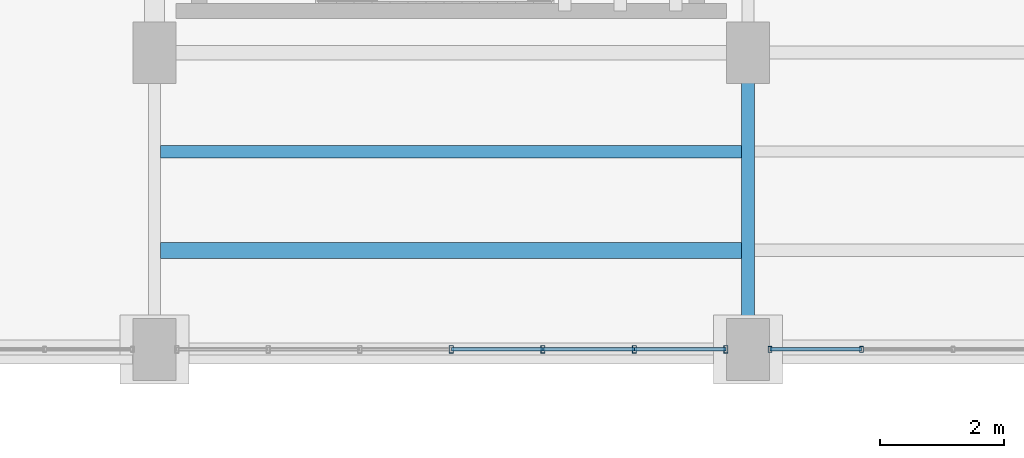
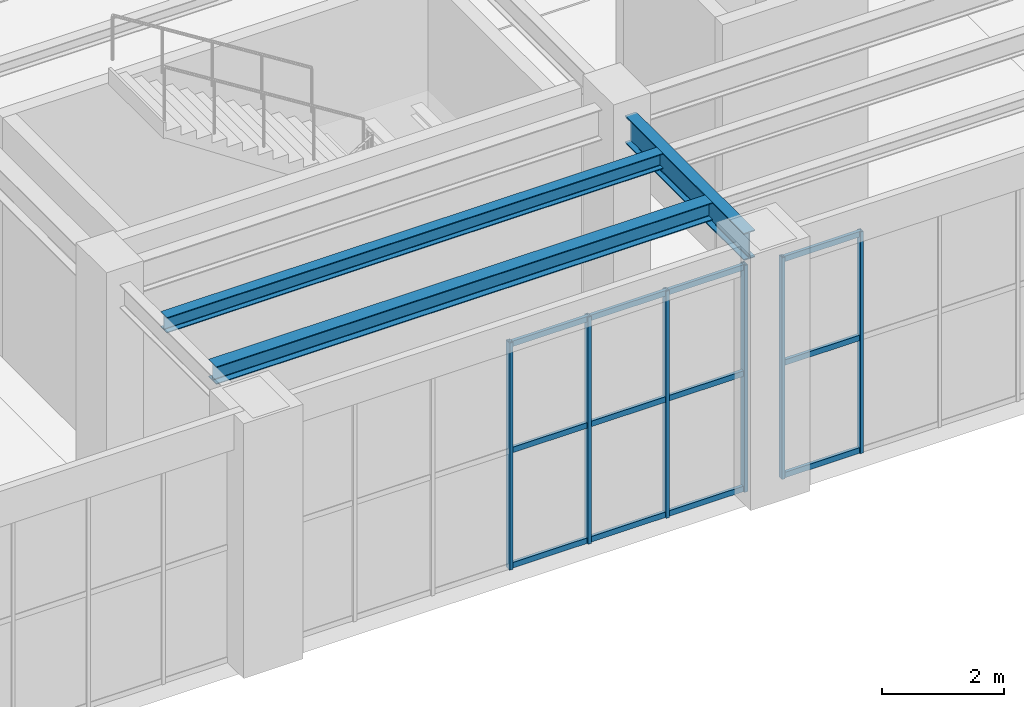
# One storey, part 57 of 174: 18 members, 3 beams, 2 elements without a shape of their own.
"""IFC4 building model written with IfcOpenShell, lengths in metres."""

import ifcopenshell
import ifcopenshell.guid

model = None  # the IFC model being written
_history = None  # IfcOwnerHistory: only IFC2X3 demands one
_inside = {}  # id of a spatial element -> (the spatial element, [elements in it])
_under = {}  # id of a project, library or spatial element -> (it, [spatial elements below it])
_declared = {}  # id of a project -> (the project, [libraries it declares])
_typed = {}  # id of a type object -> (the type object, [elements of that type])
_made_of = {}  # id of a material, layer set ... -> (it, [elements and type objects made of it])


def new_model(schema):
    """Start an empty IFC model of exactly this schema.

    Asked for "IFC4X3", IfcOpenShell would pick the latest addendum, in which some entities
    have other attributes; the version numbers below select the first issue.
    IFC2X3 requires an IfcOwnerHistory on every rooted entity: one is made here for all.
    """
    global model, _history
    if schema == "IFC4X3":
        model = ifcopenshell.file(schema_version=(4, 3, 0, 0))
    else:
        model = ifcopenshell.file(schema=schema)
    _inside.clear()
    _under.clear()
    _declared.clear()
    _typed.clear()
    _made_of.clear()
    _history = None
    if model.schema == "IFC2X3":
        org = make("IfcOrganization", Name="unknown")
        user = make(
            "IfcPersonAndOrganization",
            ThePerson=make("IfcPerson", FamilyName="unknown"),
            TheOrganization=org,
        )
        app = make(
            "IfcApplication",
            ApplicationDeveloper=org,
            Version="unknown",
            ApplicationFullName="unknown",
            ApplicationIdentifier="unknown",
        )
        _history = make(
            "IfcOwnerHistory",
            OwningUser=user,
            OwningApplication=app,
            ChangeAction="ADDED",
            CreationDate=0,
        )
    return model


def make(cls, **values):
    """One entity of the class cls with the attributes given. An attribute that is None is left unset."""
    return model.create_entity(
        cls, **{name: value for name, value in values.items() if value is not None}
    )


def rooted(cls, **values):
    """An entity with a GlobalId (a new one), such as an element, a storey or a relation."""
    return make(cls, GlobalId=ifcopenshell.guid.new(), OwnerHistory=_history, **values)


def si_unit(unit_type, name, prefix=None):
    """IfcSIUnit, for example si_unit("LENGTHUNIT", "METRE", prefix="MILLI")."""
    return make("IfcSIUnit", UnitType=unit_type, Prefix=prefix, Name=name)


def assignment(units):
    """IfcUnitAssignment: the units of a project."""
    return None if units is None else make("IfcUnitAssignment", Units=units)


def point(xyz):
    """IfcCartesianPoint."""
    return None if xyz is None else make("IfcCartesianPoint", Coordinates=xyz)


def direction(xyz):
    """IfcDirection."""
    return None if xyz is None else make("IfcDirection", DirectionRatios=xyz)


def frame(location, z_axis=None, x_axis=None):
    """IfcAxis2Placement3D, a coordinate frame: its origin and axes. An axis left out is left unset."""
    return make(
        "IfcAxis2Placement3D",
        Location=point(location),
        Axis=direction(z_axis),
        RefDirection=direction(x_axis),
    )


def frame_2d(location, x_axis=None):
    """IfcAxis2Placement2D, a coordinate frame in the plane: its origin and x axis."""
    return make(
        "IfcAxis2Placement2D", Location=point(location), RefDirection=direction(x_axis)
    )


def origin():
    """The frame at (0, 0, 0) with its axes left unset."""
    return frame((0.0, 0.0, 0.0))


def origin_2d():
    """The frame at (0, 0) in the plane with its x axis left unset."""
    return frame_2d((0.0, 0.0))


def place(relative_to, where):
    """IfcLocalPlacement: puts the frame where relative to a parent placement (None: the world)."""
    return make(
        "IfcLocalPlacement", PlacementRelTo=relative_to, RelativePlacement=where
    )


def context(
    kind, dimensions, precision=None, world=None, true_north=None, identifier=None
):
    """IfcGeometricRepresentationContext, for example the 3D "Model" context."""
    return make(
        "IfcGeometricRepresentationContext",
        ContextIdentifier=identifier,
        ContextType=kind,
        CoordinateSpaceDimension=dimensions,
        Precision=precision,
        WorldCoordinateSystem=world,
        TrueNorth=true_north,
    )


def subcontext(parent, identifier, kind, view, scale=None):
    """IfcGeometricRepresentationSubContext, for example "Body" below "Model"."""
    return make(
        "IfcGeometricRepresentationSubContext",
        ContextIdentifier=identifier,
        ContextType=kind,
        ParentContext=parent,
        TargetScale=scale,
        TargetView=view,
    )


def project(units=None, contexts=None):
    """IfcProject with its units and contexts."""
    return rooted(
        "IfcProject",
        Name="project",
        RepresentationContexts=contexts,
        UnitsInContext=assignment(units),
    )


def spatial(cls, under=None, at=None, **own):
    """A site, building, storey or space (cls), placed at a placement, below another one or the project."""
    s = rooted(cls, ObjectPlacement=at, **own)
    if under is not None:
        _under.setdefault(under.id(), (under, []))[1].append(s)
    return s


def profile(cls, at=None, kind="AREA", **sizes):
    """A parametric profile (cls). Its sizes go by their IFC names, for example OverallWidth=200.0."""
    return make(cls, ProfileType=kind, Position=at, **sizes)


def hollow_rectangle(**sizes):
    """IfcRectangleHollowProfileDef."""
    return profile("IfcRectangleHollowProfileDef", **sizes)


def i_section(**sizes):
    """IfcIShapeProfileDef."""
    return profile("IfcIShapeProfileDef", **sizes)


def extrude(swept, where, along, depth):
    """IfcExtrudedAreaSolid: the profile swept, set in the frame where, extruded along a direction by depth."""
    return make(
        "IfcExtrudedAreaSolid",
        SweptArea=swept,
        Position=where,
        ExtrudedDirection=direction(along),
        Depth=depth,
    )


def shape(context_of_items, identifier, shape_type, items):
    """IfcShapeRepresentation: the items that make up one representation, for example the "Body"."""
    return make(
        "IfcShapeRepresentation",
        ContextOfItems=context_of_items,
        RepresentationIdentifier=identifier,
        RepresentationType=shape_type,
        Items=items,
    )


def material(Name=None, Category=None):
    """IfcMaterial."""
    return make("IfcMaterial", Name=Name, Category=Category)


def material_profile(
    of_material, cross_section, Name=None, Category=None, Priority=None
):
    """IfcMaterialProfile: a cross section and its material."""
    return make(
        "IfcMaterialProfile",
        Name=Name,
        Material=of_material,
        Profile=cross_section,
        Priority=Priority,
        Category=Category,
    )


def profile_set(profiles, Name=None, composite=None):
    """IfcMaterialProfileSet."""
    return make(
        "IfcMaterialProfileSet",
        Name=Name,
        MaterialProfiles=profiles,
        CompositeProfile=composite,
    )


def made_of(thing, what):
    """Note that an element or type object is made of a material, layer set ...; save() writes the relation."""
    if what is not None:
        _made_of.setdefault(what.id(), (what, []))[1].append(thing)
    return thing


def type_object(cls, material=None, **own):
    """A type object (cls), such as IfcWallType, which elements share."""
    return made_of(rooted(cls, **own), material)


def element(
    cls,
    number,
    at=None,
    inside=None,
    cuts=None,
    type_object=None,
    material=None,
    context=None,
    identifier="Body",
    shape_type=None,
    held_by="IfcProductDefinitionShape",
    body=None,
    shapes=None,
    **own,
):
    """One element of the class cls, such as IfcWall. Its Tag is "e" and its number.

    at: its placement. inside: the storey or other place that contains it. cuts: it is an
    opening in that element (IfcRelVoidsElement). A single representation is given by context,
    identifier, shape_type and body (its items); several are given by shapes. held_by: the class
    of the entity that holds the representations. save() writes the other relations.
    """
    e = rooted(cls, Tag="e%d" % number, ObjectPlacement=at, **own)
    if body is not None:
        shapes = [shape(context, identifier, shape_type, body)]
    if shapes is not None:
        e.Representation = make(held_by, Representations=shapes)
    if inside is not None:
        _inside.setdefault(inside.id(), (inside, []))[1].append(e)
    if cuts is not None:
        rooted(
            "IfcRelVoidsElement", RelatingBuildingElement=cuts, RelatedOpeningElement=e
        )
    if type_object is not None:
        _typed.setdefault(type_object.id(), (type_object, []))[1].append(e)
    return made_of(e, material)


def aggregate(whole, parts):
    """IfcRelAggregates: a whole, such as a stair, and the parts it consists of."""
    return rooted("IfcRelAggregates", RelatingObject=whole, RelatedObjects=parts)


def save(model, path):
    """Write the relations noted so far, then the file.

    IfcRelAggregates (storeys below a building ...), IfcRelContainedInSpatialStructure (elements
    in a storey), IfcRelDefinesByType, IfcRelAssociatesMaterial and IfcRelDeclares: one each for
    every whole, place, type object, material and project.
    """
    for whole, parts in _under.values():
        aggregate(whole, parts)
    for where, things in _inside.values():
        rooted(
            "IfcRelContainedInSpatialStructure",
            RelatedElements=things,
            RelatingStructure=where,
        )
    for kind, things in _typed.values():
        rooted("IfcRelDefinesByType", RelatedObjects=things, RelatingType=kind)
    for what, things in _made_of.values():
        rooted("IfcRelAssociatesMaterial", RelatedObjects=things, RelatingMaterial=what)
    for by, libraries in _declared.values():
        rooted("IfcRelDeclares", RelatingContext=by, RelatedDefinitions=libraries)
    model.write(path)


model = new_model("IFC4")

# Units and contexts
model_context = context("Model", 3, precision=1e-05, world=origin(), true_north=direction((0.0, 1.0)))
body_context = subcontext(model_context, "Body", "Model", "MODEL_VIEW")
ifc_project = project(units=[si_unit("LENGTHUNIT", "METRE"), si_unit("AREAUNIT", "SQUARE_METRE"), si_unit("VOLUMEUNIT", "CUBIC_METRE"), si_unit("PLANEANGLEUNIT", "RADIAN"), si_unit("MASSUNIT", "GRAM", prefix="KILO")], contexts=[model_context])

# Site, building, storey
site_placement = place(None, origin())
site = spatial("IfcSite", under=ifc_project, at=site_placement, CompositionType="ELEMENT")
building_placement = place(site_placement, origin())
building = spatial("IfcBuilding", under=site, at=building_placement, Name="Mavantir Sound Aquarium", CompositionType="ELEMENT")
storey_placement = place(building_placement, frame((0.0, 0.0, 5.39990234375)))
storey = spatial("IfcBuildingStorey", under=building, at=storey_placement, Name="L01", CompositionType="ELEMENT", Elevation=5.39990234375)

# Beams
ifc_material_1 = material(Name="Structural Steel ASTM A992 Gr50", Category="steel")
ifc_material_profile_1 = material_profile(ifc_material_1, i_section(OverallWidth=0.205078125, OverallDepth=0.31005859375, WebThickness=0.009521484375, FlangeThickness=0.016357421875, FilletRadius=0.012939453125, at=origin_2d()), Name="W310X74")
ifc_profile_set_1 = profile_set([ifc_material_profile_1], Name="Structural Steel ASTM A992 Gr50")
beam_type_1 = type_object("IfcBeamType", Name="BM-W310X74-I", PredefinedType="JOIST", material=ifc_profile_set_1)
beam_1_placement = place(storey_placement, frame((108.096923828125, 39.199951171875, 4.62109375), z_axis=(1.0, 0.0, 0.0), x_axis=(0.0, 1.0, 0.0)))
element("IfcBeam", 1, at=beam_1_placement, inside=storey, type_object=beam_type_1, Name="L01 secondary floor joist SJ-31 723", PredefinedType="JOIST", context=body_context, shape_type="SweptSolid", body=[
    extrude(i_section(OverallWidth=0.205078125, OverallDepth=0.31005859375, WebThickness=0.009521484375, FlangeThickness=0.016357421875, FilletRadius=0.012939453125, at=origin_2d()), origin(), (0.0, 0.0, 1.0), 9.39697265625),
])
ifc_material_profile_2 = material_profile(ifc_material_1, i_section(OverallWidth=0.25390625, OverallDepth=0.35302734375, WebThickness=0.009521484375, FlangeThickness=0.016357421875, FilletRadius=0.014892578125, at=origin_2d()), Name="W360X91")
ifc_profile_set_2 = profile_set([ifc_material_profile_2], Name="Structural Steel ASTM A992 Gr50")
beam_type_2 = type_object("IfcBeamType", Name="BM-W360X91-I", PredefinedType="JOIST", material=ifc_profile_set_2)
beam_2_placement = place(storey_placement, frame((108.096923828125, 37.60009765625, 4.599609375), z_axis=(1.0, 0.0, 0.0), x_axis=(0.0, 1.0, 0.0)))
element("IfcBeam", 2, at=beam_2_placement, inside=storey, type_object=beam_type_2, Name="L01 secondary floor joist SJ-36 722", PredefinedType="JOIST", context=body_context, shape_type="SweptSolid", body=[
    extrude(i_section(OverallWidth=0.25390625, OverallDepth=0.35302734375, WebThickness=0.009521484375, FlangeThickness=0.016357421875, FilletRadius=0.014892578125, at=origin_2d()), origin(), (0.0, 0.0, 1.0), 9.39697265625),
])
ifc_material_profile_3 = material_profile(ifc_material_1, i_section(OverallWidth=0.2119140625, OverallDepth=0.5439453125, WebThickness=0.01318359375, FlangeThickness=0.021240234375, FilletRadius=0.01806640625, at=origin_2d()), Name="W530X123")
ifc_profile_set_3 = profile_set([ifc_material_profile_3], Name="Structural Steel ASTM A992 Gr50")
beam_type_3 = type_object("IfcBeamType", Name="BM-W530X123-I", PredefinedType="BEAM", material=ifc_profile_set_3)
beam_3_placement = place(storey_placement, frame((117.60009765625, 36.449951171875, 4.504150390625), z_axis=(0.0, 1.0, 0.0), x_axis=(-1.0, 0.0, 0.0)))
element("IfcBeam", 3, at=beam_3_placement, inside=storey, type_object=beam_type_3, Name="L01 primary girder SB-53 1301", PredefinedType="BEAM", context=body_context, shape_type="SweptSolid", body=[
    extrude(i_section(OverallWidth=0.2119140625, OverallDepth=0.5439453125, WebThickness=0.01318359375, FlangeThickness=0.021240234375, FilletRadius=0.01806640625, at=origin_2d()), origin(), (0.0, 0.0, 1.0), 3.900146484375),
])

# Curtain wall, members
ifc_material_2 = material(Name="Anodised Marine Aluminium and Low-E Glass", Category="aluminium")
curtain_wall_type_1 = type_object("IfcCurtainWallType", Name="CW-T03", PredefinedType="USERDEFINED", material=ifc_material_2)
curtain_wall_1_placement = place(storey_placement, origin())
curtain_wall_1 = element("IfcCurtainWall", 4, at=curtain_wall_1_placement, inside=storey, type_object=curtain_wall_type_1, Name="L01 unitised curtain wall CW-03 99", ObjectType="UNITISED GLAZING", PredefinedType="USERDEFINED")
ifc_material_3 = material(Name="Anodised Marine Aluminium 6063-T6", Category="aluminium")
ifc_material_profile_4 = material_profile(ifc_material_3, hollow_rectangle(XDim=0.06005859375, YDim=0.10009765625, WallThickness=0.00390625, at=origin_2d()), Name="ALU-MULLION-100X60")
ifc_profile_set_4 = profile_set([ifc_material_profile_4], Name="Anodised Marine Aluminium 6063-T6")
member_type_1 = type_object("IfcMemberType", Name="CW-MUL-100", PredefinedType="MULLION", material=ifc_profile_set_4)
member_1_placement = place(storey_placement, frame((117.9580078125, 36.0, 0.0), z_axis=(0.0, 0.0, 1.0), x_axis=(1.0, 0.0, 0.0)))
member_1 = element("IfcMember", 5, at=member_1_placement, type_object=member_type_1, Name="CW-L01-099 vertical mullion 1", PredefinedType="MULLION", context=body_context, shape_type="SweptSolid", body=[
    extrude(hollow_rectangle(XDim=0.06005859375, YDim=0.10009765625, WallThickness=0.00390625, at=origin_2d()), origin(), (0.0, 0.0, 1.0), 4.43798828125),
])
member_2_placement = place(storey_placement, frame((119.438720703125, 36.0, 0.0), z_axis=(0.0, 0.0, 1.0), x_axis=(1.0, 0.0, 0.0)))
member_2 = element("IfcMember", 6, at=member_2_placement, type_object=member_type_1, Name="CW-L01-099 vertical mullion 2", PredefinedType="MULLION", context=body_context, shape_type="SweptSolid", body=[
    extrude(hollow_rectangle(XDim=0.06005859375, YDim=0.10009765625, WallThickness=0.00390625, at=origin_2d()), origin(), (0.0, 0.0, 1.0), 4.43798828125),
])

curtain_wall_type_2 = type_object("IfcCurtainWallType", Name="CW-T02", PredefinedType="USERDEFINED", material=ifc_material_2)
curtain_wall_2_placement = place(storey_placement, origin())
curtain_wall_2 = element("IfcCurtainWall", 7, at=curtain_wall_2_placement, inside=storey, type_object=curtain_wall_type_2, Name="L01 unitised curtain wall CW-02 98", ObjectType="UNITISED GLAZING", PredefinedType="USERDEFINED")
ifc_material_profile_5 = material_profile(ifc_material_3, hollow_rectangle(XDim=0.06494140625, YDim=0.1201171875, WallThickness=0.00390625, at=origin_2d()), Name="ALU-MULLION-120X65")
ifc_profile_set_5 = profile_set([ifc_material_profile_5], Name="Anodised Marine Aluminium 6063-T6")
member_type_2 = type_object("IfcMemberType", Name="CW-MUL-120", PredefinedType="MULLION", material=ifc_profile_set_5)
member_3_placement = place(storey_placement, frame((112.800048828125, 36.0, 0.0), z_axis=(0.0, 0.0, 1.0), x_axis=(1.0, 0.0, 0.0)))
member_3 = element("IfcMember", 8, at=member_3_placement, type_object=member_type_2, Name="CW-L01-098 vertical mullion 4", PredefinedType="MULLION", context=body_context, shape_type="SweptSolid", body=[
    extrude(hollow_rectangle(XDim=0.06494140625, YDim=0.1201171875, WallThickness=0.00390625, at=origin_2d()), origin(), (0.0, 0.0, 1.0), 4.543212890625),
])
member_4_placement = place(storey_placement, frame((114.28076171875, 36.0, 0.0), z_axis=(0.0, 0.0, 1.0), x_axis=(1.0, 0.0, 0.0)))
member_4 = element("IfcMember", 9, at=member_4_placement, type_object=member_type_2, Name="CW-L01-098 vertical mullion 5", PredefinedType="MULLION", context=body_context, shape_type="SweptSolid", body=[
    extrude(hollow_rectangle(XDim=0.06494140625, YDim=0.1201171875, WallThickness=0.00390625, at=origin_2d()), origin(), (0.0, 0.0, 1.0), 4.543212890625),
])
member_5_placement = place(storey_placement, frame((115.76123046875, 36.0, 0.0), z_axis=(0.0, 0.0, 1.0), x_axis=(1.0, 0.0, 0.0)))
member_5 = element("IfcMember", 10, at=member_5_placement, type_object=member_type_2, Name="CW-L01-098 vertical mullion 6", PredefinedType="MULLION", context=body_context, shape_type="SweptSolid", body=[
    extrude(hollow_rectangle(XDim=0.06494140625, YDim=0.1201171875, WallThickness=0.00390625, at=origin_2d()), origin(), (0.0, 0.0, 1.0), 4.543212890625),
])
member_6_placement = place(storey_placement, frame((117.241943359375, 36.0, 0.0), z_axis=(0.0, 0.0, 1.0), x_axis=(1.0, 0.0, 0.0)))
member_6 = element("IfcMember", 11, at=member_6_placement, type_object=member_type_2, Name="CW-L01-098 vertical mullion 7", PredefinedType="MULLION", context=body_context, shape_type="SweptSolid", body=[
    extrude(hollow_rectangle(XDim=0.06494140625, YDim=0.1201171875, WallThickness=0.00390625, at=origin_2d()), origin(), (0.0, 0.0, 1.0), 4.543212890625),
])
ifc_material_profile_6 = material_profile(ifc_material_3, hollow_rectangle(XDim=0.06005859375, YDim=0.110107421875, WallThickness=0.00390625, at=origin_2d()), Name="ALU-TRANSOM-110X60")
ifc_profile_set_6 = profile_set([ifc_material_profile_6], Name="Anodised Marine Aluminium 6063-T6")
member_type_3 = type_object("IfcMemberType", Name="CW-TRN-110", PredefinedType="USERDEFINED", material=ifc_profile_set_6)
member_7_placement = place(storey_placement, frame((112.800048828125, 36.0, 0.05517578125), z_axis=(1.0, 0.0, 0.0), x_axis=(0.0, 1.0, 0.0)))
member_7 = element("IfcMember", 12, at=member_7_placement, type_object=member_type_3, Name="CW-L01-098 transom 4.1", ObjectType="TRANSOM", PredefinedType="USERDEFINED", context=body_context, shape_type="SweptSolid", body=[
    extrude(hollow_rectangle(XDim=0.06005859375, YDim=0.110107421875, WallThickness=0.00390625, at=origin_2d()), origin(), (0.0, 0.0, 1.0), 1.480712890625),
])
member_8_placement = place(storey_placement, frame((112.800048828125, 36.0, 2.362548828125), z_axis=(1.0, 0.0, 0.0), x_axis=(0.0, 1.0, 0.0)))
member_8 = element("IfcMember", 13, at=member_8_placement, type_object=member_type_3, Name="CW-L01-098 transom 4.2", ObjectType="TRANSOM", PredefinedType="USERDEFINED", context=body_context, shape_type="SweptSolid", body=[
    extrude(hollow_rectangle(XDim=0.06005859375, YDim=0.110107421875, WallThickness=0.00390625, at=origin_2d()), origin(), (0.0, 0.0, 1.0), 1.480712890625),
])
member_9_placement = place(storey_placement, frame((112.800048828125, 36.0, 4.488037109375), z_axis=(1.0, 0.0, 0.0), x_axis=(0.0, 1.0, 0.0)))
member_9 = element("IfcMember", 14, at=member_9_placement, type_object=member_type_3, Name="CW-L01-098 transom 4.3", ObjectType="TRANSOM", PredefinedType="USERDEFINED", context=body_context, shape_type="SweptSolid", body=[
    extrude(hollow_rectangle(XDim=0.06005859375, YDim=0.110107421875, WallThickness=0.00390625, at=origin_2d()), origin(), (0.0, 0.0, 1.0), 1.480712890625),
])
member_10_placement = place(storey_placement, frame((114.28076171875, 36.0, 0.05517578125), z_axis=(1.0, 0.0, 0.0), x_axis=(0.0, 1.0, 0.0)))
member_10 = element("IfcMember", 15, at=member_10_placement, type_object=member_type_3, Name="CW-L01-098 transom 5.1", ObjectType="TRANSOM", PredefinedType="USERDEFINED", context=body_context, shape_type="SweptSolid", body=[
    extrude(hollow_rectangle(XDim=0.06005859375, YDim=0.110107421875, WallThickness=0.00390625, at=origin_2d()), origin(), (0.0, 0.0, 1.0), 1.48046875),
])
member_11_placement = place(storey_placement, frame((114.28076171875, 36.0, 2.362548828125), z_axis=(1.0, 0.0, 0.0), x_axis=(0.0, 1.0, 0.0)))
member_11 = element("IfcMember", 16, at=member_11_placement, type_object=member_type_3, Name="CW-L01-098 transom 5.2", ObjectType="TRANSOM", PredefinedType="USERDEFINED", context=body_context, shape_type="SweptSolid", body=[
    extrude(hollow_rectangle(XDim=0.06005859375, YDim=0.110107421875, WallThickness=0.00390625, at=origin_2d()), origin(), (0.0, 0.0, 1.0), 1.48046875),
])
member_12_placement = place(storey_placement, frame((114.28076171875, 36.0, 4.488037109375), z_axis=(1.0, 0.0, 0.0), x_axis=(0.0, 1.0, 0.0)))
member_12 = element("IfcMember", 17, at=member_12_placement, type_object=member_type_3, Name="CW-L01-098 transom 5.3", ObjectType="TRANSOM", PredefinedType="USERDEFINED", context=body_context, shape_type="SweptSolid", body=[
    extrude(hollow_rectangle(XDim=0.06005859375, YDim=0.110107421875, WallThickness=0.00390625, at=origin_2d()), origin(), (0.0, 0.0, 1.0), 1.48046875),
])
member_13_placement = place(storey_placement, frame((115.76123046875, 36.0, 0.05517578125), z_axis=(1.0, 0.0, 0.0), x_axis=(0.0, 1.0, 0.0)))
member_13 = element("IfcMember", 18, at=member_13_placement, type_object=member_type_3, Name="CW-L01-098 transom 6.1", ObjectType="TRANSOM", PredefinedType="USERDEFINED", context=body_context, shape_type="SweptSolid", body=[
    extrude(hollow_rectangle(XDim=0.06005859375, YDim=0.110107421875, WallThickness=0.00390625, at=origin_2d()), origin(), (0.0, 0.0, 1.0), 1.480712890625),
])
member_14_placement = place(storey_placement, frame((115.76123046875, 36.0, 2.362548828125), z_axis=(1.0, 0.0, 0.0), x_axis=(0.0, 1.0, 0.0)))
member_14 = element("IfcMember", 19, at=member_14_placement, type_object=member_type_3, Name="CW-L01-098 transom 6.2", ObjectType="TRANSOM", PredefinedType="USERDEFINED", context=body_context, shape_type="SweptSolid", body=[
    extrude(hollow_rectangle(XDim=0.06005859375, YDim=0.110107421875, WallThickness=0.00390625, at=origin_2d()), origin(), (0.0, 0.0, 1.0), 1.480712890625),
])
member_15_placement = place(storey_placement, frame((115.76123046875, 36.0, 4.488037109375), z_axis=(1.0, 0.0, 0.0), x_axis=(0.0, 1.0, 0.0)))
member_15 = element("IfcMember", 20, at=member_15_placement, type_object=member_type_3, Name="CW-L01-098 transom 6.3", ObjectType="TRANSOM", PredefinedType="USERDEFINED", context=body_context, shape_type="SweptSolid", body=[
    extrude(hollow_rectangle(XDim=0.06005859375, YDim=0.110107421875, WallThickness=0.00390625, at=origin_2d()), origin(), (0.0, 0.0, 1.0), 1.480712890625),
])
aggregate(curtain_wall_2, [member_3, member_4, member_5, member_6, member_7, member_8, member_9, member_10, member_11, member_12, member_13, member_14, member_15])

# Member
member_16_placement = place(storey_placement, frame((117.9580078125, 36.0, 0.05517578125), z_axis=(1.0, 0.0, 0.0), x_axis=(0.0, 1.0, 0.0)))
member_16 = element("IfcMember", 21, at=member_16_placement, type_object=member_type_3, Name="CW-L01-099 transom 1.1", ObjectType="TRANSOM", PredefinedType="USERDEFINED", context=body_context, shape_type="SweptSolid", body=[
    extrude(hollow_rectangle(XDim=0.06005859375, YDim=0.110107421875, WallThickness=0.00390625, at=origin_2d()), origin(), (0.0, 0.0, 1.0), 1.480712890625),
])

member_17_placement = place(storey_placement, frame((117.9580078125, 36.0, 2.307861328125), z_axis=(1.0, 0.0, 0.0), x_axis=(0.0, 1.0, 0.0)))
member_17 = element("IfcMember", 22, at=member_17_placement, type_object=member_type_3, Name="CW-L01-099 transom 1.2", ObjectType="TRANSOM", PredefinedType="USERDEFINED", context=body_context, shape_type="SweptSolid", body=[
    extrude(hollow_rectangle(XDim=0.06005859375, YDim=0.110107421875, WallThickness=0.00390625, at=origin_2d()), origin(), (0.0, 0.0, 1.0), 1.480712890625),
])

member_18_placement = place(storey_placement, frame((117.9580078125, 36.0, 4.383056640625), z_axis=(1.0, 0.0, 0.0), x_axis=(0.0, 1.0, 0.0)))
member_18 = element("IfcMember", 23, at=member_18_placement, type_object=member_type_3, Name="CW-L01-099 transom 1.3", ObjectType="TRANSOM", PredefinedType="USERDEFINED", context=body_context, shape_type="SweptSolid", body=[
    extrude(hollow_rectangle(XDim=0.06005859375, YDim=0.110107421875, WallThickness=0.00390625, at=origin_2d()), origin(), (0.0, 0.0, 1.0), 1.480712890625),
])

aggregate(curtain_wall_1, [member_1, member_2, member_16, member_17, member_18])

save(model, "model.ifc")
